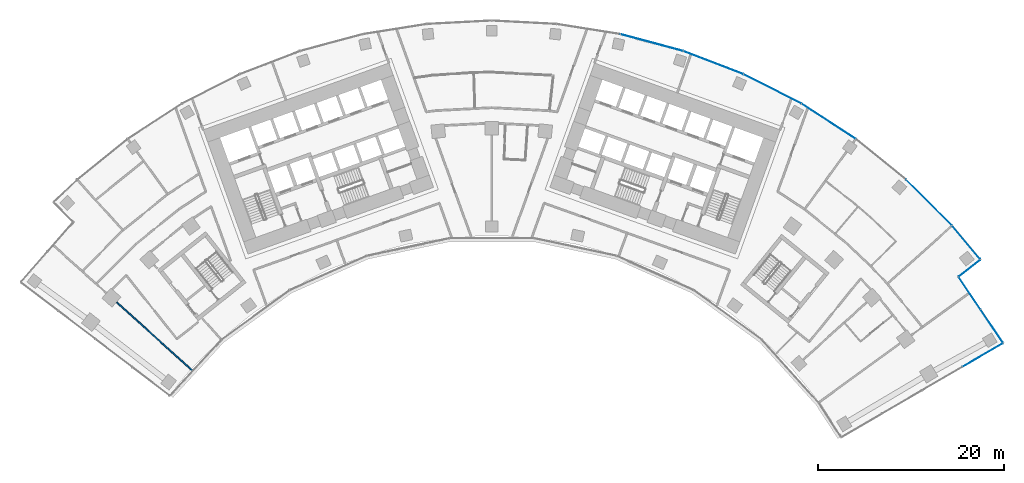
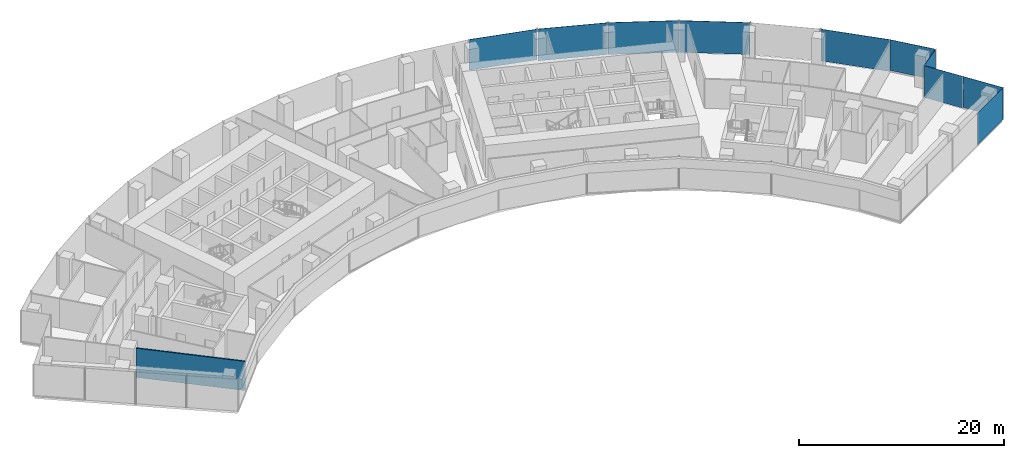
# One storey, part 13 of 21: 10 plates, 1 wall, 4 elements without a shape of their own.
"""IFC4 building model written with IfcOpenShell, lengths in metres."""

import ifcopenshell
import ifcopenshell.guid

model = None  # the IFC model being written
_history = None  # IfcOwnerHistory: only IFC2X3 demands one
_inside = {}  # id of a spatial element -> (the spatial element, [elements in it])
_under = {}  # id of a project, library or spatial element -> (it, [spatial elements below it])
_declared = {}  # id of a project -> (the project, [libraries it declares])
_typed = {}  # id of a type object -> (the type object, [elements of that type])
_made_of = {}  # id of a material, layer set ... -> (it, [elements and type objects made of it])


def new_model(schema):
    """Start an empty IFC model of exactly this schema.

    Asked for "IFC4X3", IfcOpenShell would pick the latest addendum, in which some entities
    have other attributes; the version numbers below select the first issue.
    IFC2X3 requires an IfcOwnerHistory on every rooted entity: one is made here for all.
    """
    global model, _history
    if schema == "IFC4X3":
        model = ifcopenshell.file(schema_version=(4, 3, 0, 0))
    else:
        model = ifcopenshell.file(schema=schema)
    _inside.clear()
    _under.clear()
    _declared.clear()
    _typed.clear()
    _made_of.clear()
    _history = None
    if model.schema == "IFC2X3":
        org = make("IfcOrganization", Name="unknown")
        user = make(
            "IfcPersonAndOrganization",
            ThePerson=make("IfcPerson", FamilyName="unknown"),
            TheOrganization=org,
        )
        app = make(
            "IfcApplication",
            ApplicationDeveloper=org,
            Version="unknown",
            ApplicationFullName="unknown",
            ApplicationIdentifier="unknown",
        )
        _history = make(
            "IfcOwnerHistory",
            OwningUser=user,
            OwningApplication=app,
            ChangeAction="ADDED",
            CreationDate=0,
        )
    return model


def make(cls, **values):
    """One entity of the class cls with the attributes given. An attribute that is None is left unset."""
    return model.create_entity(
        cls, **{name: value for name, value in values.items() if value is not None}
    )


def rooted(cls, **values):
    """An entity with a GlobalId (a new one), such as an element, a storey or a relation."""
    return make(cls, GlobalId=ifcopenshell.guid.new(), OwnerHistory=_history, **values)


def si_unit(unit_type, name, prefix=None):
    """IfcSIUnit, for example si_unit("LENGTHUNIT", "METRE", prefix="MILLI")."""
    return make("IfcSIUnit", UnitType=unit_type, Prefix=prefix, Name=name)


def assignment(units):
    """IfcUnitAssignment: the units of a project."""
    return None if units is None else make("IfcUnitAssignment", Units=units)


def point(xyz):
    """IfcCartesianPoint."""
    return None if xyz is None else make("IfcCartesianPoint", Coordinates=xyz)


def direction(xyz):
    """IfcDirection."""
    return None if xyz is None else make("IfcDirection", DirectionRatios=xyz)


def frame(location, z_axis=None, x_axis=None):
    """IfcAxis2Placement3D, a coordinate frame: its origin and axes. An axis left out is left unset."""
    return make(
        "IfcAxis2Placement3D",
        Location=point(location),
        Axis=direction(z_axis),
        RefDirection=direction(x_axis),
    )


def frame_2d(location, x_axis=None):
    """IfcAxis2Placement2D, a coordinate frame in the plane: its origin and x axis."""
    return make(
        "IfcAxis2Placement2D", Location=point(location), RefDirection=direction(x_axis)
    )


def origin():
    """The frame at (0, 0, 0) with its axes left unset."""
    return frame((0.0, 0.0, 0.0))


def origin_2d():
    """The frame at (0, 0) in the plane with its x axis left unset."""
    return frame_2d((0.0, 0.0))


def place(relative_to, where):
    """IfcLocalPlacement: puts the frame where relative to a parent placement (None: the world)."""
    return make(
        "IfcLocalPlacement", PlacementRelTo=relative_to, RelativePlacement=where
    )


def context(
    kind, dimensions, precision=None, world=None, true_north=None, identifier=None
):
    """IfcGeometricRepresentationContext, for example the 3D "Model" context."""
    return make(
        "IfcGeometricRepresentationContext",
        ContextIdentifier=identifier,
        ContextType=kind,
        CoordinateSpaceDimension=dimensions,
        Precision=precision,
        WorldCoordinateSystem=world,
        TrueNorth=true_north,
    )


def subcontext(parent, identifier, kind, view, scale=None):
    """IfcGeometricRepresentationSubContext, for example "Body" below "Model"."""
    return make(
        "IfcGeometricRepresentationSubContext",
        ContextIdentifier=identifier,
        ContextType=kind,
        ParentContext=parent,
        TargetScale=scale,
        TargetView=view,
    )


def project(units=None, contexts=None):
    """IfcProject with its units and contexts."""
    return rooted(
        "IfcProject",
        Name="project",
        RepresentationContexts=contexts,
        UnitsInContext=assignment(units),
    )


def spatial(cls, under=None, at=None, **own):
    """A site, building, storey or space (cls), placed at a placement, below another one or the project."""
    s = rooted(cls, ObjectPlacement=at, **own)
    if under is not None:
        _under.setdefault(under.id(), (under, []))[1].append(s)
    return s


def profile(cls, at=None, kind="AREA", **sizes):
    """A parametric profile (cls). Its sizes go by their IFC names, for example OverallWidth=200.0."""
    return make(cls, ProfileType=kind, Position=at, **sizes)


def rectangle(**sizes):
    """IfcRectangleProfileDef."""
    return profile("IfcRectangleProfileDef", **sizes)


def extrude(swept, where, along, depth):
    """IfcExtrudedAreaSolid: the profile swept, set in the frame where, extruded along a direction by depth."""
    return make(
        "IfcExtrudedAreaSolid",
        SweptArea=swept,
        Position=where,
        ExtrudedDirection=direction(along),
        Depth=depth,
    )


def shape(context_of_items, identifier, shape_type, items):
    """IfcShapeRepresentation: the items that make up one representation, for example the "Body"."""
    return make(
        "IfcShapeRepresentation",
        ContextOfItems=context_of_items,
        RepresentationIdentifier=identifier,
        RepresentationType=shape_type,
        Items=items,
    )


def material(Name=None, Category=None):
    """IfcMaterial."""
    return make("IfcMaterial", Name=Name, Category=Category)


def layer(
    of_material, thickness, ventilated=None, Name=None, Category=None, Priority=None
):
    """IfcMaterialLayer: one layer of a wall or slab, of a material (None: an air gap)."""
    return make(
        "IfcMaterialLayer",
        Material=of_material,
        LayerThickness=thickness,
        IsVentilated=ventilated,
        Name=Name,
        Category=Category,
        Priority=Priority,
    )


def layer_set(layers, Name=None):
    """IfcMaterialLayerSet."""
    return make("IfcMaterialLayerSet", MaterialLayers=layers, LayerSetName=Name)


def made_of(thing, what):
    """Note that an element or type object is made of a material, layer set ...; save() writes the relation."""
    if what is not None:
        _made_of.setdefault(what.id(), (what, []))[1].append(thing)
    return thing


def type_object(cls, material=None, **own):
    """A type object (cls), such as IfcWallType, which elements share."""
    return made_of(rooted(cls, **own), material)


def element(
    cls,
    number,
    at=None,
    inside=None,
    cuts=None,
    type_object=None,
    material=None,
    context=None,
    identifier="Body",
    shape_type=None,
    held_by="IfcProductDefinitionShape",
    body=None,
    shapes=None,
    **own,
):
    """One element of the class cls, such as IfcWall. Its Tag is "e" and its number.

    at: its placement. inside: the storey or other place that contains it. cuts: it is an
    opening in that element (IfcRelVoidsElement). A single representation is given by context,
    identifier, shape_type and body (its items); several are given by shapes. held_by: the class
    of the entity that holds the representations. save() writes the other relations.
    """
    e = rooted(cls, Tag="e%d" % number, ObjectPlacement=at, **own)
    if body is not None:
        shapes = [shape(context, identifier, shape_type, body)]
    if shapes is not None:
        e.Representation = make(held_by, Representations=shapes)
    if inside is not None:
        _inside.setdefault(inside.id(), (inside, []))[1].append(e)
    if cuts is not None:
        rooted(
            "IfcRelVoidsElement", RelatingBuildingElement=cuts, RelatedOpeningElement=e
        )
    if type_object is not None:
        _typed.setdefault(type_object.id(), (type_object, []))[1].append(e)
    return made_of(e, material)


def aggregate(whole, parts):
    """IfcRelAggregates: a whole, such as a stair, and the parts it consists of."""
    return rooted("IfcRelAggregates", RelatingObject=whole, RelatedObjects=parts)


def save(model, path):
    """Write the relations noted so far, then the file.

    IfcRelAggregates (storeys below a building ...), IfcRelContainedInSpatialStructure (elements
    in a storey), IfcRelDefinesByType, IfcRelAssociatesMaterial and IfcRelDeclares: one each for
    every whole, place, type object, material and project.
    """
    for whole, parts in _under.values():
        aggregate(whole, parts)
    for where, things in _inside.values():
        rooted(
            "IfcRelContainedInSpatialStructure",
            RelatedElements=things,
            RelatingStructure=where,
        )
    for kind, things in _typed.values():
        rooted("IfcRelDefinesByType", RelatedObjects=things, RelatingType=kind)
    for what, things in _made_of.values():
        rooted("IfcRelAssociatesMaterial", RelatedObjects=things, RelatingMaterial=what)
    for by, libraries in _declared.values():
        rooted("IfcRelDeclares", RelatingContext=by, RelatedDefinitions=libraries)
    model.write(path)


model = new_model("IFC4")

# Units and contexts
model_context = context("Model", 3, precision=1e-05, world=origin(), true_north=direction((0.0, 1.0)))
body_context = subcontext(model_context, "Body", "Model", "MODEL_VIEW")
ifc_project = project(units=[si_unit("LENGTHUNIT", "METRE"), si_unit("AREAUNIT", "SQUARE_METRE"), si_unit("VOLUMEUNIT", "CUBIC_METRE"), si_unit("PLANEANGLEUNIT", "RADIAN"), si_unit("MASSUNIT", "GRAM", prefix="KILO")], contexts=[model_context])

# Site, building, storey
site_placement = place(None, origin())
site = spatial("IfcSite", under=ifc_project, at=site_placement, CompositionType="ELEMENT")
building_placement = place(site_placement, origin())
building = spatial("IfcBuilding", under=site, at=building_placement, Name="Stone Belt Terrace Tower", CompositionType="ELEMENT")
storey_placement = place(building_placement, frame((0.0, 0.0, 94.60009765625)))
storey = spatial("IfcBuildingStorey", under=building, at=storey_placement, Name="L22", CompositionType="ELEMENT", Elevation=94.60009765625)

# Curtain wall, plates
ifc_material_1 = material(Name="Aluminium 6063-T6 anodised frame", Category="aluminium")
ifc_layer_1 = layer(ifc_material_1, 0.14990234375)
ifc_layer_set_1 = layer_set([ifc_layer_1], Name="CW-A unitised convex-face curtain wall")
curtain_wall_type_1 = type_object("IfcCurtainWallType", Name="CW-A unitised convex-face curtain wall", PredefinedType="NOTDEFINED", material=ifc_layer_set_1)
curtain_wall_1_placement = place(storey_placement, origin())
curtain_wall_1 = element("IfcCurtainWall", 1, at=curtain_wall_1_placement, inside=storey, type_object=curtain_wall_type_1, Name="CW-A convex face L22", PredefinedType="NOTDEFINED")
ifc_material_2 = material(Name="Clear double glazed unit")
ifc_layer_2 = layer(ifc_material_2, 0.031982421875)
ifc_layer_set_2 = layer_set([ifc_layer_2], Name="CW-A glass panel 32")
plate_type_1 = type_object("IfcPlateType", Name="CW-A glass panel 32", PredefinedType="CURTAIN_PANEL", material=ifc_layer_set_2)
plate_1_placement = place(storey_placement, frame((50.993896484375, 42.73583984375, 0.14013671875), z_axis=(0.0, 0.0, 1.0), x_axis=(-0.642509184121, 0.766277983711, 0.0)))
plate_1 = element("IfcPlate", 2, at=plate_1_placement, type_object=plate_type_1, Name="CW-A panel 1.1", PredefinedType="CURTAIN_PANEL", context=body_context, shape_type="SweptSolid", body=[
    extrude(rectangle(XDim=4.662841796875, YDim=0.031982421875, at=origin_2d()), origin(), (0.0, 0.0, 1.0), 3.659912109375),
])
plate_2_placement = place(storey_placement, frame((47.01123046875, 47.01123046875, 0.0), z_axis=(0.0, 0.0, 1.0), x_axis=(-0.707106781187, 0.707106781187, 0.0)))
plate_2 = element("IfcPlate", 3, at=plate_2_placement, type_object=plate_type_1, Name="CW-A panel 2.1", PredefinedType="CURTAIN_PANEL", context=body_context, shape_type="SweptSolid", body=[
    extrude(rectangle(XDim=6.90087890625, YDim=0.031982421875, at=origin_2d()), origin(), (0.0, 0.0, 1.0), 3.800048828125),
])
plate_3_placement = place(storey_placement, frame((36.209716796875, 55.758056640625, 0.0), z_axis=(0.0, 0.0, 1.0), x_axis=(-0.838670567945, 0.544639035015, 0.0)))
plate_3 = element("IfcPlate", 4, at=plate_3_placement, type_object=plate_type_1, Name="CW-A panel 4.1", PredefinedType="CURTAIN_PANEL", context=body_context, shape_type="SweptSolid", body=[
    extrude(rectangle(XDim=6.90087890625, YDim=0.031982421875, at=origin_2d()), origin(), (0.0, 0.0, 1.0), 3.800048828125),
])
plate_4_placement = place(storey_placement, frame((30.18310546875, 59.237548828125, 0.0), z_axis=(0.0, 0.0, 1.0), x_axis=(-0.891006524188, 0.45399049974, 0.0)))
plate_4 = element("IfcPlate", 5, at=plate_4_placement, type_object=plate_type_1, Name="CW-A panel 5.1", PredefinedType="CURTAIN_PANEL", context=body_context, shape_type="SweptSolid", body=[
    extrude(rectangle(XDim=6.90087890625, YDim=0.031982421875, at=origin_2d()), origin(), (0.0, 0.0, 1.0), 3.800048828125),
])
plate_5_placement = place(storey_placement, frame((23.82568359375, 62.068115234375, 0.0), z_axis=(0.0, 0.0, 1.0), x_axis=(-0.933580426497, 0.358367949545, 0.0)))
plate_5 = element("IfcPlate", 6, at=plate_5_placement, type_object=plate_type_1, Name="CW-A panel 6.1", PredefinedType="CURTAIN_PANEL", context=body_context, shape_type="SweptSolid", body=[
    extrude(rectangle(XDim=6.90087890625, YDim=0.031982421875, at=origin_2d()), origin(), (0.0, 0.0, 1.0), 3.800048828125),
])
plate_6_placement = place(storey_placement, frame((17.207275390625, 64.218505859375, 0.14013671875), z_axis=(0.0, 0.0, 1.0), x_axis=(-0.965925826289, 0.258819045103, 0.0)))
plate_6 = element("IfcPlate", 7, at=plate_6_placement, type_object=plate_type_1, Name="CW-A panel 7.1", PredefinedType="CURTAIN_PANEL", context=body_context, shape_type="SweptSolid", body=[
    extrude(rectangle(XDim=6.90087890625, YDim=0.031982421875, at=origin_2d()), origin(), (0.0, 0.0, 1.0), 3.659912109375),
])
aggregate(curtain_wall_1, [plate_1, plate_2, plate_3, plate_4, plate_5, plate_6])

# Curtain wall, plate
ifc_layer_3 = layer(ifc_material_1, 0.14990234375)
ifc_layer_set_3 = layer_set([ifc_layer_3], Name="CW-C stick curtain wall, horn ends and notches")
curtain_wall_type_2 = type_object("IfcCurtainWallType", Name="CW-C stick curtain wall, horn ends and notches", PredefinedType="NOTDEFINED", material=ifc_layer_set_3)
curtain_wall_2_placement = place(storey_placement, origin())
curtain_wall_2 = element("IfcCurtainWall", 8, at=curtain_wall_2_placement, inside=storey, type_object=curtain_wall_type_2, Name="CW-C end face L22", PredefinedType="NOTDEFINED")
ifc_layer_4 = layer(ifc_material_2, 0.028076171875)
ifc_layer_set_4 = layer_set([ifc_layer_4], Name="CW-C glass panel 28")
plate_type_2 = type_object("IfcPlateType", Name="CW-C glass panel 28", PredefinedType="CURTAIN_PANEL", material=ifc_layer_set_4)
plate_7_placement = place(storey_placement, frame((52.771484375, 30.6318359375, 0.0), z_axis=(0.0, 0.0, 1.0), x_axis=(0.864239322284, 0.503080901861, 0.0)))
plate_7 = element("IfcPlate", 9, at=plate_7_placement, type_object=plate_type_2, Name="CW-C panel 4.1", PredefinedType="CURTAIN_PANEL", context=body_context, shape_type="SweptSolid", body=[
    extrude(rectangle(XDim=4.974853515625, YDim=0.028076171875, at=origin_2d()), origin(), (0.0, 0.0, 1.0), 3.800048828125),
])
aggregate(curtain_wall_2, [plate_7])

# Curtain wall, plates
curtain_wall_3_placement = place(storey_placement, origin())
curtain_wall_3 = element("IfcCurtainWall", 10, at=curtain_wall_3_placement, inside=storey, type_object=curtain_wall_type_2, Name="CW-C notch face L22", PredefinedType="NOTDEFINED")
plate_8_placement = place(storey_placement, frame((53.748046875, 33.751220703125, 0.1201171875), z_axis=(0.0, 0.0, 1.0), x_axis=(-0.560367245622, 0.828244257471, 0.0)))
plate_8 = element("IfcPlate", 11, at=plate_8_placement, type_object=plate_type_2, Name="CW-C panel 1.1", PredefinedType="CURTAIN_PANEL", context=body_context, shape_type="SweptSolid", body=[
    extrude(rectangle(XDim=4.268798828125, YDim=0.028076171875, at=origin_2d()), origin(), (0.0, 0.0, 1.0), 3.679931640625),
])
plate_9_placement = place(storey_placement, frame((51.364013671875, 37.275146484375, 0.0), z_axis=(0.0, 0.0, 1.0), x_axis=(-0.560367245622, 0.828244257471, 0.0)))
plate_9 = element("IfcPlate", 12, at=plate_9_placement, type_object=plate_type_2, Name="CW-C panel 2.1", PredefinedType="CURTAIN_PANEL", context=body_context, shape_type="SweptSolid", body=[
    extrude(rectangle(XDim=4.12060546875, YDim=0.028076171875, at=origin_2d()), origin(), (0.0, 0.0, 1.0), 3.800048828125),
])
aggregate(curtain_wall_3, [plate_8, plate_9])

# Curtain wall, plate
curtain_wall_4_placement = place(storey_placement, origin())
curtain_wall_4 = element("IfcCurtainWall", 13, at=curtain_wall_4_placement, inside=storey, type_object=curtain_wall_type_2, Name="CW-C notch face L22", PredefinedType="NOTDEFINED")
plate_10_placement = place(storey_placement, frame((51.353515625, 39.966552734375, 0.1201171875), z_axis=(0.0, 0.0, 1.0), x_axis=(0.788458012337, 0.615088581248, 0.0)))
plate_10 = element("IfcPlate", 14, at=plate_10_placement, type_object=plate_type_2, Name="CW-C panel 1.1", PredefinedType="CURTAIN_PANEL", context=body_context, shape_type="SweptSolid", body=[
    extrude(rectangle(XDim=2.859619140625, YDim=0.028076171875, at=origin_2d()), origin(), (0.0, 0.0, 1.0), 3.679931640625),
])
aggregate(curtain_wall_4, [plate_10])

# Wall
ifc_material_3 = material(Name="Gypsum board partition")
ifc_layer_5 = layer(ifc_material_3, 0.14990234375)
ifc_layer_set_5 = layer_set([ifc_layer_5], Name="PARTITION 150 EI 60")
wall_type = type_object("IfcWallType", Name="PARTITION 150 EI 60", PredefinedType="PARTITIONING", material=ifc_layer_set_5)
wall_placement = place(storey_placement, frame((-40.3115234375, 36.29736328125, 0.0), z_axis=(0.0, 0.0, 1.0), x_axis=(0.743153102887, -0.66912141325, 0.0)))
element("IfcWall", 15, at=wall_placement, inside=storey, type_object=wall_type, Name="L22/wall/i028", PredefinedType="PARTITIONING", context=body_context, shape_type="SweptSolid", body=[
    extrude(rectangle(XDim=10.93212890625, YDim=0.14990234375, at=frame_2d((5.466064453125, 0.0))), origin(), (0.0, 0.0, 1.0), 3.47998046875),
])

save(model, "model.ifc")
